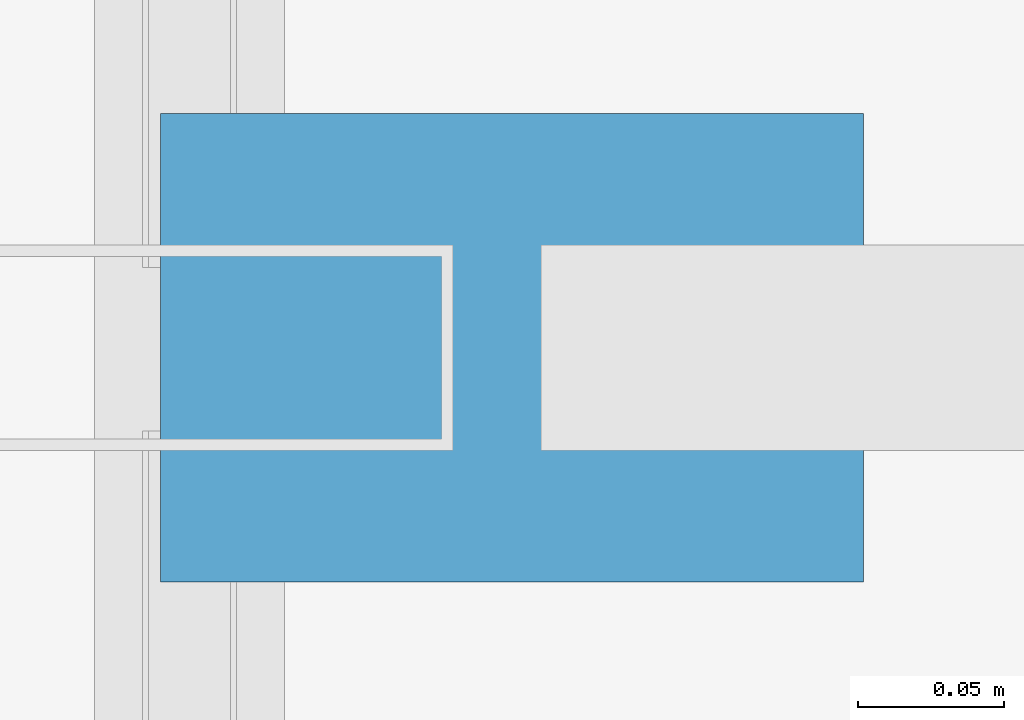
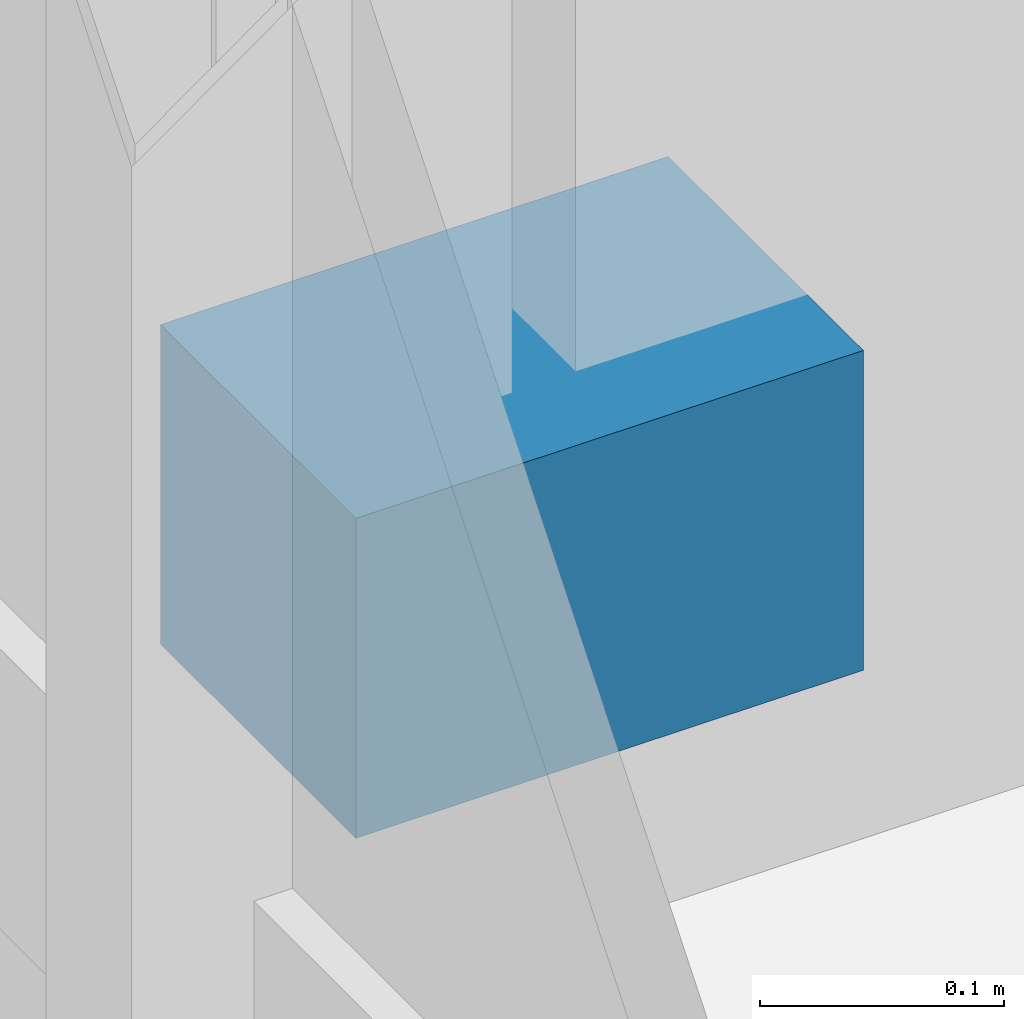
# One storey, part 30 of 38: 1 discrete accessory.
"""IFC4 building model written with IfcOpenShell, lengths in metres."""

from ifc_helpers import new_model, si_unit, direction, frame, origin, origin_2d, place, context, subcontext, project, spatial, rectangle, extrude, material, type_object, element, save


model = new_model("IFC4")

# Units and contexts
model_context = context("Model", 3, precision=1e-05, world=origin(), true_north=direction((0.0, 1.0)))
body_context = subcontext(model_context, "Body", "Model", "MODEL_VIEW")
ifc_project = project(units=[si_unit("LENGTHUNIT", "METRE"), si_unit("AREAUNIT", "SQUARE_METRE"), si_unit("VOLUMEUNIT", "CUBIC_METRE"), si_unit("PLANEANGLEUNIT", "RADIAN"), si_unit("MASSUNIT", "GRAM", prefix="KILO")], contexts=[model_context])

# Site, building, storey
site_placement = place(None, origin())
site = spatial("IfcSite", under=ifc_project, at=site_placement, CompositionType="ELEMENT")
building_placement = place(site_placement, origin())
building = spatial("IfcBuilding", under=site, at=building_placement, Name="Hatsunagi Terrace Concourse", CompositionType="ELEMENT")
storey_placement = place(building_placement, frame((0.0, 0.0, 60.050048828125)))
storey = spatial("IfcBuildingStorey", under=building, at=storey_placement, Name="L15", CompositionType="ELEMENT", Elevation=60.050048828125)

# Discrete accessory
ifc_material = material(Name="Stainless Steel SUS316 Bracket", Category="steel")
discrete_accessory_type = type_object("IfcDiscreteAccessoryType", Name="FacadeScreenSupportBracket_SS", PredefinedType="BRACKET", material=ifc_material)
discrete_accessory_placement = place(storey_placement, frame((0.25, 45.73388671875, 0.97021484375), z_axis=(0.0, 0.0, 1.0), x_axis=(0.0, 1.0, 0.0)))
element("IfcDiscreteAccessory", 1, at=discrete_accessory_placement, inside=storey, type_object=discrete_accessory_type, Name="Terracotta Screen Bracket BRK-01", PredefinedType="BRACKET", context=body_context, shape_type="SweptSolid", body=[
    extrude(rectangle(XDim=0.159912109375, YDim=0.239990234375, at=origin_2d()), origin(), (0.0, 0.0, 1.0), 0.159912109375),
])

save(model, "model.ifc")
